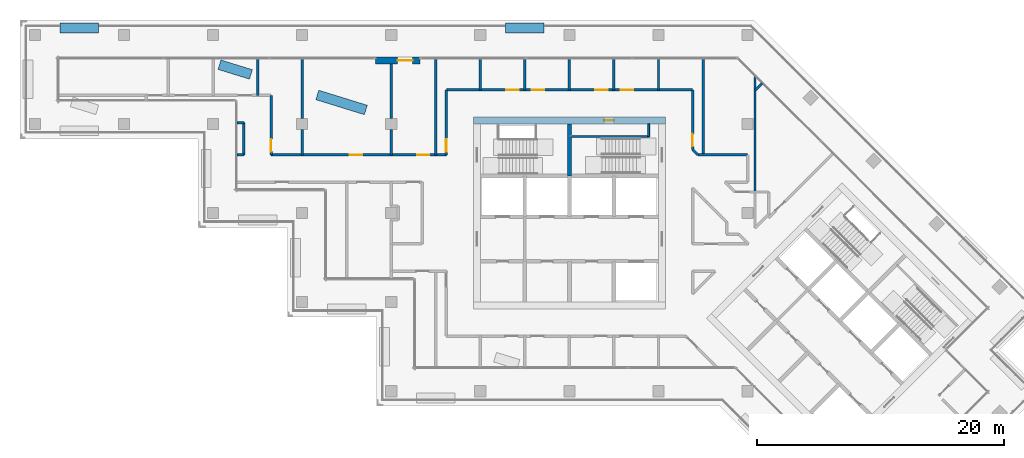
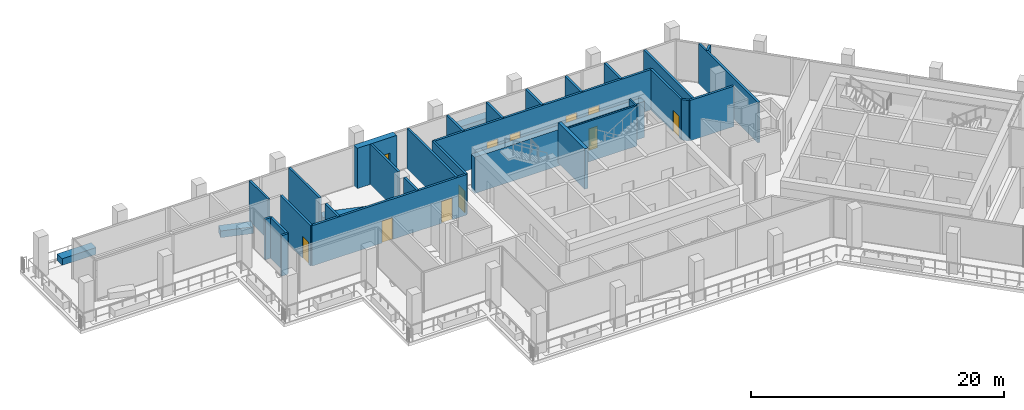
# One storey, part 11 of 19: 33 walls, 11 doors, 11 openings.
"""IFC4 building model written with IfcOpenShell, lengths in metres."""

from ifc_helpers import new_model, si_unit, direction, frame, frame_2d, origin, place, context, subcontext, project, spatial, polyline, rectangle, outline, extrude, material, layer, layer_set, type_object, element, fill, save


model = new_model("IFC4")

# Units and contexts
model_context = context("Model", 3, precision=1e-05, world=origin(), true_north=direction((0.0, 1.0)))
body_context = subcontext(model_context, "Body", "Model", "MODEL_VIEW")
ifc_project = project(units=[si_unit("LENGTHUNIT", "METRE"), si_unit("AREAUNIT", "SQUARE_METRE"), si_unit("VOLUMEUNIT", "CUBIC_METRE"), si_unit("PLANEANGLEUNIT", "RADIAN"), si_unit("MASSUNIT", "GRAM", prefix="KILO")], contexts=[model_context])

# Site, building, storey
site_placement = place(None, origin())
site = spatial("IfcSite", under=ifc_project, at=site_placement, CompositionType="ELEMENT")
building_placement = place(site_placement, origin())
building = spatial("IfcBuilding", under=site, at=building_placement, Name="Windrow Commons", CompositionType="ELEMENT")
storey_placement = place(building_placement, frame((0.0, 0.0, 185.4)))
storey = spatial("IfcBuildingStorey", under=building, at=storey_placement, Name="L50", CompositionType="ELEMENT", Elevation=185.4)

# Wall, opening, door
ifc_material_1 = material(Name="Brick masonry, red clay brick", Category="masonry")
ifc_layer_1 = layer(ifc_material_1, 0.55)
ifc_layer_set_1 = layer_set([ifc_layer_1], Name="Brick facade wall 550")
wall_type_1 = type_object("IfcWallType", Name="Brick facade wall 550", PredefinedType="SOLIDWALL", material=ifc_layer_set_1)
wall_1_placement = place(storey_placement, frame((52.7274, 69.925, 0.0), z_axis=(0.0, 0.0, 1.0), x_axis=(-1.0, 0.0, 0.0)))
wall_1 = element("IfcWall", 1, at=wall_1_placement, inside=storey, type_object=wall_type_1, Name="Brick facade wall L50 door pier 4", PredefinedType="SOLIDWALL", context=body_context, shape_type="SweptSolid", body=[
    extrude(rectangle(XDim=3.6, YDim=0.55, at=frame_2d((1.8, 0.0))), origin(), (0.0, 0.0, 1.0), 3.9),
])
opening_1_placement = place(wall_1_placement, frame((0.6, 0.0, 0.0)))
opening_1 = element("IfcOpeningElement", 2, at=opening_1_placement, cuts=wall_1, Name="Opening TD7", PredefinedType="OPENING", context=body_context, shape_type="SweptSolid", body=[
    extrude(rectangle(XDim=1.2, YDim=2.4, at=frame_2d((0.6, 1.2))), frame((0.0, 0.285, 0.0), z_axis=(0.0, -1.0, 0.0), x_axis=(1.0, 0.0, 0.0)), (0.0, 0.0, 1.0), 0.57),
])
ifc_material_2 = material(Name="Aluminium 6063-T6 anodised frame with clear glass", Category="aluminium")
door_type_1 = type_object("IfcDoorType", Name="Terrace door TD7 1200x2400", OperationType="SINGLE_SWING_LEFT", PredefinedType="DOOR", material=ifc_material_2)
door_1_placement = place(opening_1_placement, origin())
door_1 = element("IfcDoor", 3, at=door_1_placement, inside=storey, type_object=door_type_1, Name="Terrace door L50 4.1", OperationType="SINGLE_SWING_LEFT", OverallHeight=2.4, OverallWidth=1.2, PredefinedType="DOOR", context=body_context, shape_type="SweptSolid", body=[
    extrude(rectangle(XDim=1.2, YDim=2.4, at=frame_2d((0.6, 1.2))), frame((0.0, 0.025, 0.0), z_axis=(0.0, -1.0, 0.0), x_axis=(1.0, 0.0, 0.0)), (0.0, 0.0, 1.0), 0.05),
])
fill(opening_1, door_1)

# Wall, openings, doors
ifc_material_3 = material(Name="Blockwork partition", Category="masonry")
ifc_layer_2 = layer(ifc_material_3, 0.2)
ifc_layer_set_2 = layer_set([ifc_layer_2], Name="IW-CORRIDOR-200")
wall_type_2 = type_object("IfcWallType", Name="IW-CORRIDOR-200", PredefinedType="PARTITIONING", material=ifc_layer_set_2)
wall_2_placement = place(storey_placement, frame((54.85, 67.55, 0.0), z_axis=(0.0, 0.0, 1.0), x_axis=(1.0, 0.0, 0.0)))
wall_2 = element("IfcWall", 4, at=wall_2_placement, inside=storey, type_object=wall_type_2, Name="W-L50-W000", PredefinedType="PARTITIONING", context=body_context, shape_type="SweptSolid", body=[
    extrude(rectangle(XDim=19.9, YDim=0.2, at=frame_2d((9.95, 0.0))), origin(), (0.0, 0.0, 1.0), 3.9),
])
opening_2_placement = place(wall_2_placement, frame((4.8425, 0.0, 0.0)))
opening_2 = element("IfcOpeningElement", 5, at=opening_2_placement, cuts=wall_2, Name="Opening D310F", PredefinedType="OPENING", context=body_context, shape_type="SweptSolid", body=[
    extrude(rectangle(XDim=1.0, YDim=2.1, at=frame_2d((0.5, 1.05))), frame((0.0, 0.11, 0.0), z_axis=(0.0, -1.0, 0.0), x_axis=(1.0, 0.0, 0.0)), (0.0, 0.0, 1.0), 0.22),
])
opening_3_placement = place(wall_2_placement, frame((6.9175, 0.0, 0.0)))
opening_3 = element("IfcOpeningElement", 6, at=opening_3_placement, cuts=wall_2, Name="Opening D310F", PredefinedType="OPENING", context=body_context, shape_type="SweptSolid", body=[
    extrude(rectangle(XDim=1.0, YDim=2.1, at=frame_2d((0.5, 1.05))), frame((0.0, 0.11, 0.0), z_axis=(0.0, -1.0, 0.0), x_axis=(1.0, 0.0, 0.0)), (0.0, 0.0, 1.0), 0.22),
])
opening_4_placement = place(wall_2_placement, frame((12.0425, 0.0, 0.0)))
opening_4 = element("IfcOpeningElement", 7, at=opening_4_placement, cuts=wall_2, Name="Opening D310F", PredefinedType="OPENING", context=body_context, shape_type="SweptSolid", body=[
    extrude(rectangle(XDim=1.0, YDim=2.1, at=frame_2d((0.5, 1.05))), frame((0.0, 0.11, 0.0), z_axis=(0.0, -1.0, 0.0), x_axis=(1.0, 0.0, 0.0)), (0.0, 0.0, 1.0), 0.22),
])
opening_5_placement = place(wall_2_placement, frame((14.1175, 0.0, 0.0)))
opening_5 = element("IfcOpeningElement", 8, at=opening_5_placement, cuts=wall_2, Name="Opening D310F", PredefinedType="OPENING", context=body_context, shape_type="SweptSolid", body=[
    extrude(rectangle(XDim=1.0, YDim=2.1, at=frame_2d((0.5, 1.05))), frame((0.0, 0.11, 0.0), z_axis=(0.0, -1.0, 0.0), x_axis=(1.0, 0.0, 0.0)), (0.0, 0.0, 1.0), 0.22),
])
ifc_material_4 = material(Name="Timber door leaf", Category="wood")
door_type_2 = type_object("IfcDoorType", Name="DT-AMENITY-1000", OperationType="SINGLE_SWING_LEFT", PredefinedType="DOOR", material=ifc_material_4)
door_2_placement = place(opening_2_placement, origin())
door_2 = element("IfcDoor", 9, at=door_2_placement, inside=storey, type_object=door_type_2, Name="D-L50-D019", OperationType="SINGLE_SWING_RIGHT", OverallHeight=2.1, OverallWidth=1.0, PredefinedType="DOOR", context=body_context, shape_type="SweptSolid", body=[
    extrude(rectangle(XDim=1.0, YDim=2.1, at=frame_2d((0.5, 1.05))), frame((0.0, 0.025, 0.0), z_axis=(0.0, -1.0, 0.0), x_axis=(1.0, 0.0, 0.0)), (0.0, 0.0, 1.0), 0.05),
])
fill(opening_2, door_2)
door_3_placement = place(opening_3_placement, origin())
door_3 = element("IfcDoor", 10, at=door_3_placement, inside=storey, type_object=door_type_2, Name="D-L50-D020", OperationType="SINGLE_SWING_LEFT", OverallHeight=2.1, OverallWidth=1.0, PredefinedType="DOOR", context=body_context, shape_type="SweptSolid", body=[
    extrude(rectangle(XDim=1.0, YDim=2.1, at=frame_2d((0.5, 1.05))), frame((0.0, 0.025, 0.0), z_axis=(0.0, -1.0, 0.0), x_axis=(1.0, 0.0, 0.0)), (0.0, 0.0, 1.0), 0.05),
])
fill(opening_3, door_3)
door_4_placement = place(opening_4_placement, origin())
door_4 = element("IfcDoor", 11, at=door_4_placement, inside=storey, type_object=door_type_2, Name="D-L50-D021", OperationType="SINGLE_SWING_RIGHT", OverallHeight=2.1, OverallWidth=1.0, PredefinedType="DOOR", context=body_context, shape_type="SweptSolid", body=[
    extrude(rectangle(XDim=1.0, YDim=2.1, at=frame_2d((0.5, 1.05))), frame((0.0, 0.025, 0.0), z_axis=(0.0, -1.0, 0.0), x_axis=(1.0, 0.0, 0.0)), (0.0, 0.0, 1.0), 0.05),
])
fill(opening_4, door_4)
door_5_placement = place(opening_5_placement, origin())
door_5 = element("IfcDoor", 12, at=door_5_placement, inside=storey, type_object=door_type_2, Name="D-L50-D022", OperationType="SINGLE_SWING_LEFT", OverallHeight=2.1, OverallWidth=1.0, PredefinedType="DOOR", context=body_context, shape_type="SweptSolid", body=[
    extrude(rectangle(XDim=1.0, YDim=2.1, at=frame_2d((0.5, 1.05))), frame((0.0, 0.025, 0.0), z_axis=(0.0, -1.0, 0.0), x_axis=(1.0, 0.0, 0.0)), (0.0, 0.0, 1.0), 0.05),
])
fill(opening_5, door_5)

wall_3_placement = place(storey_placement, frame((40.702, 62.3, 0.0), z_axis=(0.0, 0.0, 1.0), x_axis=(1.0, 0.0, 0.0)))
wall_3 = element("IfcWall", 13, at=wall_3_placement, inside=storey, type_object=wall_type_2, Name="W-L50-W003", PredefinedType="PARTITIONING", context=body_context, shape_type="SweptSolid", body=[
    extrude(rectangle(XDim=14.148, YDim=0.2, at=frame_2d((7.074, 0.0))), origin(), (0.0, 0.0, 1.0), 3.9),
])
opening_6_placement = place(wall_3_placement, frame((6.3605, 0.0, 0.0)))
opening_6 = element("IfcOpeningElement", 14, at=opening_6_placement, cuts=wall_3, Name="Opening D310F", PredefinedType="OPENING", context=body_context, shape_type="SweptSolid", body=[
    extrude(rectangle(XDim=1.0, YDim=2.1, at=frame_2d((0.5, 1.05))), frame((0.0, 0.11, 0.0), z_axis=(0.0, -1.0, 0.0), x_axis=(1.0, 0.0, 0.0)), (0.0, 0.0, 1.0), 0.22),
])
opening_7_placement = place(wall_3_placement, frame((11.7905, 0.0, 0.0)))
opening_7 = element("IfcOpeningElement", 15, at=opening_7_placement, cuts=wall_3, Name="Opening D310F", PredefinedType="OPENING", context=body_context, shape_type="SweptSolid", body=[
    extrude(rectangle(XDim=1.0, YDim=2.1, at=frame_2d((0.5, 1.05))), frame((0.0, 0.11, 0.0), z_axis=(0.0, -1.0, 0.0), x_axis=(1.0, 0.0, 0.0)), (0.0, 0.0, 1.0), 0.22),
])
door_6_placement = place(opening_6_placement, origin())
door_6 = element("IfcDoor", 16, at=door_6_placement, inside=storey, type_object=door_type_2, Name="D-L50-D015", OperationType="SINGLE_SWING_RIGHT", OverallHeight=2.1, OverallWidth=1.0, PredefinedType="DOOR", context=body_context, shape_type="SweptSolid", body=[
    extrude(rectangle(XDim=1.0, YDim=2.1, at=frame_2d((0.5, 1.05))), frame((0.0, 0.025, 0.0), z_axis=(0.0, -1.0, 0.0), x_axis=(1.0, 0.0, 0.0)), (0.0, 0.0, 1.0), 0.05),
])
fill(opening_6, door_6)
door_7_placement = place(opening_7_placement, origin())
door_7 = element("IfcDoor", 17, at=door_7_placement, inside=storey, type_object=door_type_2, Name="D-L50-D016", OperationType="SINGLE_SWING_RIGHT", OverallHeight=2.1, OverallWidth=1.0, PredefinedType="DOOR", context=body_context, shape_type="SweptSolid", body=[
    extrude(rectangle(XDim=1.0, YDim=2.1, at=frame_2d((0.5, 1.05))), frame((0.0, 0.025, 0.0), z_axis=(0.0, -1.0, 0.0), x_axis=(1.0, 0.0, 0.0)), (0.0, 0.0, 1.0), 0.05),
])
fill(opening_7, door_7)

# Wall, opening, door
wall_4_placement = place(storey_placement, frame((54.85, 62.302, 0.0), z_axis=(0.0, 0.0, 1.0), x_axis=(0.0, 1.0, 0.0)))
wall_4 = element("IfcWall", 18, at=wall_4_placement, inside=storey, type_object=wall_type_2, Name="W-L50-W014", PredefinedType="PARTITIONING", context=body_context, shape_type="SweptSolid", body=[
    extrude(rectangle(XDim=5.248, YDim=0.2, at=frame_2d((2.624, 0.0))), origin(), (0.0, 0.0, 1.0), 3.9),
])
opening_8_placement = place(wall_4_placement, frame((0.2407, 0.0, 0.0)))
opening_8 = element("IfcOpeningElement", 19, at=opening_8_placement, cuts=wall_4, Name="Opening D310F", PredefinedType="OPENING", context=body_context, shape_type="SweptSolid", body=[
    extrude(rectangle(XDim=1.0, YDim=2.1, at=frame_2d((0.5, 1.05))), frame((0.0, 0.11, 0.0), z_axis=(0.0, -1.0, 0.0), x_axis=(1.0, 0.0, 0.0)), (0.0, 0.0, 1.0), 0.22),
])
door_8_placement = place(opening_8_placement, origin())
door_8 = element("IfcDoor", 20, at=door_8_placement, inside=storey, type_object=door_type_2, Name="D-L50-D017", OperationType="SINGLE_SWING_LEFT", OverallHeight=2.1, OverallWidth=1.0, PredefinedType="DOOR", context=body_context, shape_type="SweptSolid", body=[
    extrude(rectangle(XDim=1.0, YDim=2.1, at=frame_2d((0.5, 1.05))), frame((0.0, 0.025, 0.0), z_axis=(0.0, -1.0, 0.0), x_axis=(1.0, 0.0, 0.0)), (0.0, 0.0, 1.0), 0.05),
])
fill(opening_8, door_8)

wall_5_placement = place(storey_placement, frame((74.75, 62.732, 0.0), z_axis=(0.0, 0.0, 1.0), x_axis=(0.0, 1.0, 0.0)))
wall_5 = element("IfcWall", 21, at=wall_5_placement, inside=storey, type_object=wall_type_2, Name="W-L50-W018", PredefinedType="PARTITIONING", context=body_context, shape_type="SweptSolid", body=[
    extrude(rectangle(XDim=4.818, YDim=0.2, at=frame_2d((2.409, 0.0))), origin(), (0.0, 0.0, 1.0), 3.9),
])
opening_9_placement = place(wall_5_placement, frame((0.2622, 0.0, 0.0)))
opening_9 = element("IfcOpeningElement", 22, at=opening_9_placement, cuts=wall_5, Name="Opening D310F", PredefinedType="OPENING", context=body_context, shape_type="SweptSolid", body=[
    extrude(rectangle(XDim=1.0, YDim=2.1, at=frame_2d((0.5, 1.05))), frame((0.0, 0.11, 0.0), z_axis=(0.0, -1.0, 0.0), x_axis=(1.0, 0.0, 0.0)), (0.0, 0.0, 1.0), 0.22),
])
door_9_placement = place(opening_9_placement, origin())
door_9 = element("IfcDoor", 23, at=door_9_placement, inside=storey, type_object=door_type_2, Name="D-L50-D018", OperationType="SINGLE_SWING_RIGHT", OverallHeight=2.1, OverallWidth=1.0, PredefinedType="DOOR", context=body_context, shape_type="SweptSolid", body=[
    extrude(rectangle(XDim=1.0, YDim=2.1, at=frame_2d((0.5, 1.05))), frame((0.0, 0.025, 0.0), z_axis=(0.0, -1.0, 0.0), x_axis=(1.0, 0.0, 0.0)), (0.0, 0.0, 1.0), 0.05),
])
fill(opening_9, door_9)

wall_6_placement = place(storey_placement, frame((40.7, 62.302, 0.0), z_axis=(0.0, 0.0, 1.0), x_axis=(0.0, 1.0, 0.0)))
wall_6 = element("IfcWall", 24, at=wall_6_placement, inside=storey, type_object=wall_type_2, Name="W-L50-W019", PredefinedType="PARTITIONING", context=body_context, shape_type="SweptSolid", body=[
    extrude(rectangle(XDim=4.798, YDim=0.2, at=frame_2d((2.399, 0.0))), origin(), (0.0, 0.0, 1.0), 3.9),
])
opening_10_placement = place(wall_6_placement, frame((0.2621, 0.0, 0.0)))
opening_10 = element("IfcOpeningElement", 25, at=opening_10_placement, cuts=wall_6, Name="Opening D310F", PredefinedType="OPENING", context=body_context, shape_type="SweptSolid", body=[
    extrude(rectangle(XDim=1.0, YDim=2.1, at=frame_2d((0.5, 1.05))), frame((0.0, 0.11, 0.0), z_axis=(0.0, -1.0, 0.0), x_axis=(1.0, 0.0, 0.0)), (0.0, 0.0, 1.0), 0.22),
])
door_10_placement = place(opening_10_placement, origin())
door_10 = element("IfcDoor", 26, at=door_10_placement, inside=storey, type_object=door_type_2, Name="D-L50-D014", OperationType="SINGLE_SWING_LEFT", OverallHeight=2.1, OverallWidth=1.0, PredefinedType="DOOR", context=body_context, shape_type="SweptSolid", body=[
    extrude(rectangle(XDim=1.0, YDim=2.1, at=frame_2d((0.5, 1.05))), frame((0.0, 0.025, 0.0), z_axis=(0.0, -1.0, 0.0), x_axis=(1.0, 0.0, 0.0)), (0.0, 0.0, 1.0), 0.05),
])
fill(opening_10, door_10)

# Walls
wall_7_placement = place(storey_placement, frame((75.182, 62.3, 0.0), z_axis=(0.0, 0.0, 1.0), x_axis=(1.0, 0.0, 0.0)))
element("IfcWall", 27, at=wall_7_placement, inside=storey, type_object=wall_type_2, Name="W-L50-W023", PredefinedType="PARTITIONING", context=body_context, shape_type="SweptSolid", body=[
    extrude(rectangle(XDim=4.018, YDim=0.2, at=frame_2d((2.009, 0.0))), origin(), (0.0, 0.0, 1.0), 3.9),
])
wall_8_placement = place(storey_placement, frame((38.5, 62.302, 0.0), z_axis=(0.0, 0.0, 1.0), x_axis=(0.0, 1.0, 0.0)))
element("IfcWall", 28, at=wall_8_placement, inside=storey, type_object=wall_type_2, Name="W-L50-W030", PredefinedType="PARTITIONING", context=body_context, shape_type="SweptSolid", body=[
    extrude(rectangle(XDim=2.598, YDim=0.2, at=frame_2d((1.299, 0.0))), origin(), (0.0, 0.0, 1.0), 3.9),
])
wall_9_placement = place(storey_placement, frame((74.7469, 62.7289, 0.0), z_axis=(0.0, 0.0, 1.0), x_axis=(0.7071067812, -0.7071067812, 0.0)))
element("IfcWall", 29, at=wall_9_placement, inside=storey, type_object=wall_type_2, Name="W-L50-W066", PredefinedType="PARTITIONING", context=body_context, shape_type="SweptSolid", body=[
    extrude(rectangle(XDim=0.6109, YDim=0.2, at=frame_2d((0.3054, 0.0))), origin(), (0.0, 0.0, 1.0), 3.9),
])
for number, where, z_axis, x_axis, name in (
    (30, (37.93, 62.3, 0.0), (0.0, 0.0, 1.0), (1.0, 0.0, 0.0), "W-L50-W067"),
    (31, (37.93, 64.9, 0.0), (0.0, 0.0, 1.0), (1.0, 0.0, 0.0), "W-L50-W068"),
):
    element("IfcWall", number, at=place(storey_placement, frame(where, z_axis=z_axis, x_axis=x_axis)), inside=storey, type_object=wall_type_2, Name=name, PredefinedType="PARTITIONING", context=body_context, shape_type="SweptSolid", body=[
        extrude(rectangle(XDim=0.57, YDim=0.2, at=frame_2d((0.285, 0.0))), origin(), (0.0, 0.0, 1.0), 3.9),
    ])
ifc_material_5 = material(Name="Blockwork partition", Category="masonry")
ifc_layer_3 = layer(ifc_material_5, 0.2)
ifc_layer_set_3 = layer_set([ifc_layer_3], Name="IW-PARTY-200")
wall_type_3 = type_object("IfcWallType", Name="IW-PARTY-200", PredefinedType="PARTITIONING", material=ifc_layer_set_3)
wall_10_placement = place(storey_placement, frame((79.8, 59.3, 0.0), z_axis=(0.0, 0.0, 1.0), x_axis=(0.0, 1.0, 0.0)))
element("IfcWall", 32, at=wall_10_placement, inside=storey, type_object=wall_type_3, Name="W-L50-W005", PredefinedType="PARTITIONING", context=body_context, shape_type="SweptSolid", body=[
    extrude(rectangle(XDim=9.37, YDim=0.2, at=frame_2d((4.685, 0.0))), origin(), (0.0, 0.0, 1.0), 3.9),
])
for number, where, z_axis, x_axis, name in (
    (33, (54.0, 62.3, 0.0), (0.0, 0.0, 1.0), (0.0, 1.0, 0.0), "W-L50-W008"),
    (34, (75.6, 62.3, 0.0), (0.0, 0.0, 1.0), (0.0, 1.0, 0.0), "W-L50-W009"),
):
    element("IfcWall", number, at=place(storey_placement, frame(where, z_axis=z_axis, x_axis=x_axis)), inside=storey, type_object=wall_type_3, Name=name, PredefinedType="PARTITIONING", context=body_context, shape_type="SweptSolid", body=[
        extrude(rectangle(XDim=7.77, YDim=0.2, at=frame_2d((3.885, 0.0))), origin(), (0.0, 0.0, 1.0), 3.9),
    ])
wall_11_placement = place(storey_placement, frame((43.2, 65.25, 0.0), z_axis=(0.0, 0.0, 1.0), x_axis=(0.0, 1.0, 0.0)))
element("IfcWall", 35, at=wall_11_placement, inside=storey, type_object=wall_type_3, Name="W-L50-W016", PredefinedType="PARTITIONING", context=body_context, shape_type="SweptSolid", body=[
    extrude(rectangle(XDim=4.82, YDim=0.2, at=frame_2d((2.41, 0.0))), origin(), (0.0, 0.0, 1.0), 3.9),
])
wall_12_placement = place(storey_placement, frame((50.4, 65.25, 0.0), z_axis=(0.0, 0.0, 1.0), x_axis=(0.0, 1.0, 0.0)))
element("IfcWall", 36, at=wall_12_placement, inside=storey, type_object=wall_type_3, Name="W-L50-W017", PredefinedType="PARTITIONING", context=body_context, shape_type="SweptSolid", body=[
    extrude(rectangle(XDim=4.4, YDim=0.2, at=frame_2d((2.2, 0.0))), origin(), (0.0, 0.0, 1.0), 3.9),
])
wall_13_placement = place(storey_placement, frame((39.6, 67.1, 0.0), z_axis=(0.0, 0.0, 1.0), x_axis=(0.0, 1.0, 0.0)))
element("IfcWall", 37, at=wall_13_placement, inside=storey, type_object=wall_type_3, Name="W-L50-W027", PredefinedType="PARTITIONING", context=body_context, shape_type="SweptSolid", body=[
    extrude(rectangle(XDim=2.97, YDim=0.2, at=frame_2d((1.485, 0.0))), origin(), (0.0, 0.0, 1.0), 3.9),
])
for number, where, z_axis, x_axis, name in (
    (38, (57.6, 67.55, 0.0), (0.0, 0.0, 1.0), (0.0, 1.0, 0.0), "W-L50-W033"),
    (39, (61.2, 67.55, 0.0), (0.0, 0.0, 1.0), (0.0, 1.0, 0.0), "W-L50-W035"),
    (40, (64.8, 67.55, 0.0), (0.0, 0.0, 1.0), (0.0, 1.0, 0.0), "W-L50-W037"),
    (41, (68.4, 67.55, 0.0), (0.0, 0.0, 1.0), (0.0, 1.0, 0.0), "W-L50-W039"),
    (42, (72.0, 67.55, 0.0), (0.0, 0.0, 1.0), (0.0, 1.0, 0.0), "W-L50-W041"),
):
    element("IfcWall", number, at=place(storey_placement, frame(where, z_axis=z_axis, x_axis=x_axis)), inside=storey, type_object=wall_type_3, Name=name, PredefinedType="PARTITIONING", context=body_context, shape_type="SweptSolid", body=[
        extrude(rectangle(XDim=2.52, YDim=0.2, at=frame_2d((1.26, 0.0))), origin(), (0.0, 0.0, 1.0), 3.9),
    ])
for number, where, z_axis, x_axis, name in (
    (43, (43.2, 62.3, 0.0), (0.0, 0.0, 1.0), (0.0, 1.0, 0.0), "W-L50-W047"),
    (44, (50.4, 62.3, 0.0), (0.0, 0.0, 1.0), (0.0, 1.0, 0.0), "W-L50-W048"),
):
    element("IfcWall", number, at=place(storey_placement, frame(where, z_axis=z_axis, x_axis=x_axis)), inside=storey, type_object=wall_type_3, Name=name, PredefinedType="PARTITIONING", context=body_context, shape_type="SweptSolid", body=[
        extrude(rectangle(XDim=2.05, YDim=0.2, at=frame_2d((1.025, 0.0))), origin(), (0.0, 0.0, 1.0), 3.9),
    ])
wall_14_placement = place(storey_placement, frame((79.7988, 67.5092, 0.0), z_axis=(0.0, 0.0, 1.0), x_axis=(0.7071067812, 0.7071067812, 0.0)))
element("IfcWall", 45, at=wall_14_placement, inside=storey, type_object=wall_type_3, Name="W-L50-W065", PredefinedType="PARTITIONING", context=body_context, shape_type="SweptSolid", body=[
    extrude(rectangle(XDim=0.8231, YDim=0.2, at=frame_2d((0.4116, 0.0))), origin(), (0.0, 0.0, 1.0), 3.9),
])
ifc_material_6 = material(Name="Concrete C30/37 planter wall", Category="concrete")
ifc_layer_4 = layer(ifc_material_6, 0.8)
ifc_layer_set_4 = layer_set([ifc_layer_4], Name="Planter 800x600")
wall_type_4 = type_object("IfcWallType", Name="Planter 800x600", PredefinedType="SOLIDWALL", material=ifc_layer_set_4)
for number, where, z_axis, x_axis, name in (
    (46, (62.75, 72.55, 0.0), (0.0, 0.0, 1.0), (-1.0, 0.0, 0.0), "PLANTER TR-L50-1.5"),
    (47, (26.75, 72.55, 0.0), (0.0, 0.0, 1.0), (-1.0, 0.0, 0.0), "PLANTER TR-L50-1.6"),
):
    element("IfcWall", number, at=place(storey_placement, frame(where, z_axis=z_axis, x_axis=x_axis)), inside=storey, type_object=wall_type_4, Name=name, PredefinedType="SOLIDWALL", context=body_context, shape_type="SweptSolid", body=[
        extrude(rectangle(XDim=3.1, YDim=0.8, at=frame_2d((1.55, 0.0))), origin(), (0.0, 0.0, 1.0), 0.65),
    ])
wall_15_placement = place(storey_placement, frame((39.0631, 68.8, 0.0), z_axis=(0.0, 0.0, 1.0), x_axis=(-0.9553548371, 0.2954608861, 0.0)))
element("IfcWall", 48, at=wall_15_placement, inside=storey, type_object=wall_type_4, Name="PLANTER TR-L50-1 bed 7", PredefinedType="SOLIDWALL", context=body_context, shape_type="SweptSolid", body=[
    extrude(rectangle(XDim=2.6619, YDim=0.8, at=frame_2d((1.331, 0.0))), origin(), (0.0, 0.0, 1.0), 0.65),
])
wall_16_placement = place(storey_placement, frame((48.35, 65.928, 0.0), z_axis=(0.0, 0.0, 1.0), x_axis=(-0.9553584107, 0.2954493308, 0.0)))
element("IfcWall", 49, at=wall_16_placement, inside=storey, type_object=wall_type_4, Name="PLANTER TR-L50-1 bed 6", PredefinedType="SOLIDWALL", context=body_context, shape_type="SweptSolid", body=[
    extrude(outline(polyline([(0.0, -0.4), (4.1066, -0.4), (4.1066, 0.4), (0.0, 0.4), (0.0, -0.4)])), origin(), (0.0, 0.0, 1.0), 0.65),
])

# Wall, opening, door
ifc_material_7 = material(Name="Concrete C50/60", Category="concrete")
ifc_layer_5 = layer(ifc_material_7, 0.55)
ifc_layer_set_5 = layer_set([ifc_layer_5], Name="RC CORE WALL 550 C50/60")
wall_type_5 = type_object("IfcWallType", Name="RC CORE WALL 550 C50/60", PredefinedType="SHEAR", material=ifc_layer_set_5)
wall_17_placement = place(storey_placement, frame((57.05, 65.075, -0.3), z_axis=(0.0, 0.0, 1.0), x_axis=(1.0, 0.0, 0.0)))
wall_17 = element("IfcWall", 50, at=wall_17_placement, inside=storey, type_object=wall_type_5, Name="Core A wall outer-N", PredefinedType="SHEAR", context=body_context, shape_type="SweptSolid", body=[
    extrude(rectangle(XDim=15.5, YDim=0.55, at=frame_2d((7.75, 0.0))), origin(), (0.0, 0.0, 1.0), 3.5),
])
opening_11_placement = place(wall_17_placement, frame((10.55, 0.0, 0.3)))
opening_11 = element("IfcOpeningElement", 51, at=opening_11_placement, cuts=wall_17, Name="Opening D9", PredefinedType="OPENING", context=body_context, shape_type="SweptSolid", body=[
    extrude(rectangle(XDim=0.8, YDim=2.1, at=frame_2d((0.4, 1.05))), frame((0.0, 0.285, 0.0), z_axis=(0.0, -1.0, 0.0), x_axis=(1.0, 0.0, 0.0)), (0.0, 0.0, 1.0), 0.57),
])
ifc_material_8 = material(Name="Steel fire door leaf", Category="steel")
door_type_3 = type_object("IfcDoorType", Name="Riser access door 800", OperationType="SINGLE_SWING_LEFT", PredefinedType="DOOR", material=ifc_material_8)
door_11_placement = place(opening_11_placement, origin())
door_11 = element("IfcDoor", 52, at=door_11_placement, inside=storey, type_object=door_type_3, Name="Riser access door", OperationType="SINGLE_SWING_RIGHT", OverallHeight=2.1, OverallWidth=0.8, PredefinedType="DOOR", context=body_context, shape_type="SweptSolid", body=[
    extrude(rectangle(XDim=0.8, YDim=2.1, at=frame_2d((0.4, 1.05))), frame((0.0, 0.025, 0.0), z_axis=(0.0, -1.0, 0.0), x_axis=(1.0, 0.0, 0.0)), (0.0, 0.0, 1.0), 0.05),
])
fill(opening_11, door_11)

# Walls
ifc_material_9 = material(Name="Concrete C50/60", Category="concrete")
ifc_layer_6 = layer(ifc_material_9, 0.3)
ifc_layer_set_6 = layer_set([ifc_layer_6], Name="RC SHAFT WALL 300 C50/60")
wall_type_6 = type_object("IfcWallType", Name="RC SHAFT WALL 300 C50/60", PredefinedType="SOLIDWALL", material=ifc_layer_set_6)
wall_18_placement = place(storey_placement, frame((64.8, 60.6, 0.0), z_axis=(0.0, 0.0, 1.0), x_axis=(0.0, 1.0, 0.0)))
element("IfcWall", 53, at=wall_18_placement, inside=storey, type_object=wall_type_6, Name="Core A wall stair-mid", PredefinedType="SOLIDWALL", context=body_context, shape_type="SweptSolid", body=[
    extrude(rectangle(XDim=4.2, YDim=0.3, at=frame_2d((2.1, 0.0))), origin(), (0.0, 0.0, 1.0), 3.9),
])
ifc_material_10 = material(Name="Blockwork partition", Category="masonry")
ifc_layer_7 = layer(ifc_material_10, 0.15)
ifc_layer_set_7 = layer_set([ifc_layer_7], Name="Riser partition 150")
wall_type_7 = type_object("IfcWallType", Name="Riser partition 150", PredefinedType="PARTITIONING", material=ifc_layer_set_7)
wall_19_placement = place(storey_placement, frame((64.95, 63.78, 0.0), z_axis=(0.0, 0.0, 1.0), x_axis=(1.0, 0.0, 0.0)))
element("IfcWall", 54, at=wall_19_placement, inside=storey, type_object=wall_type_7, Name="W-core-strip-A-L50", PredefinedType="PARTITIONING", context=body_context, shape_type="SweptSolid", body=[
    extrude(rectangle(XDim=6.25, YDim=0.15, at=frame_2d((3.125, 0.0))), origin(), (0.0, 0.0, 1.0), 3.9),
])
wall_20_placement = place(storey_placement, frame((71.2, 63.78, 0.0), z_axis=(0.0, 0.0, 1.0), x_axis=(0.0, 1.0, 0.0)))
element("IfcWall", 55, at=wall_20_placement, inside=storey, type_object=wall_type_7, Name="W-core-stripx-A-L50-1", PredefinedType="PARTITIONING", context=body_context, shape_type="SweptSolid", body=[
    extrude(rectangle(XDim=1.02, YDim=0.15, at=frame_2d((0.51, 0.0))), origin(), (0.0, 0.0, 1.0), 3.9),
])

save(model, "model.ifc")
